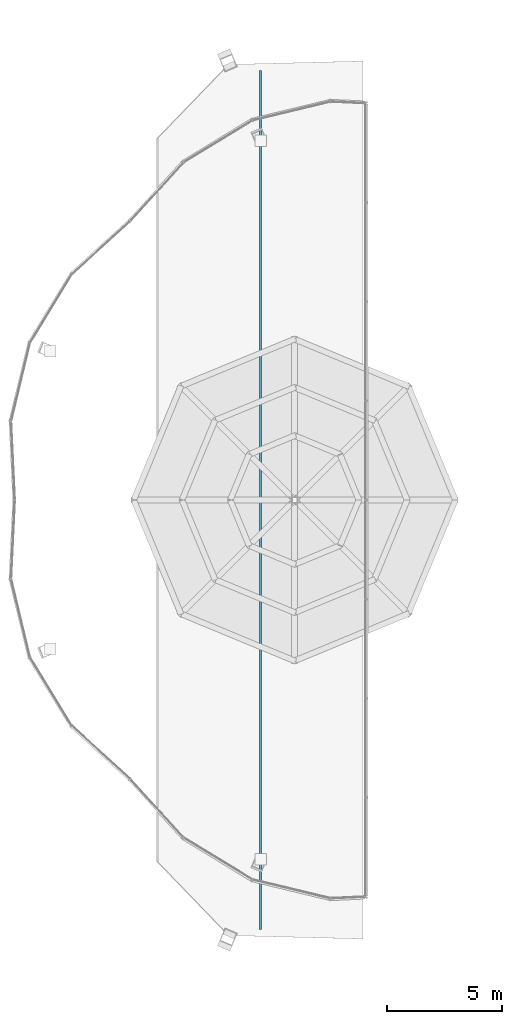
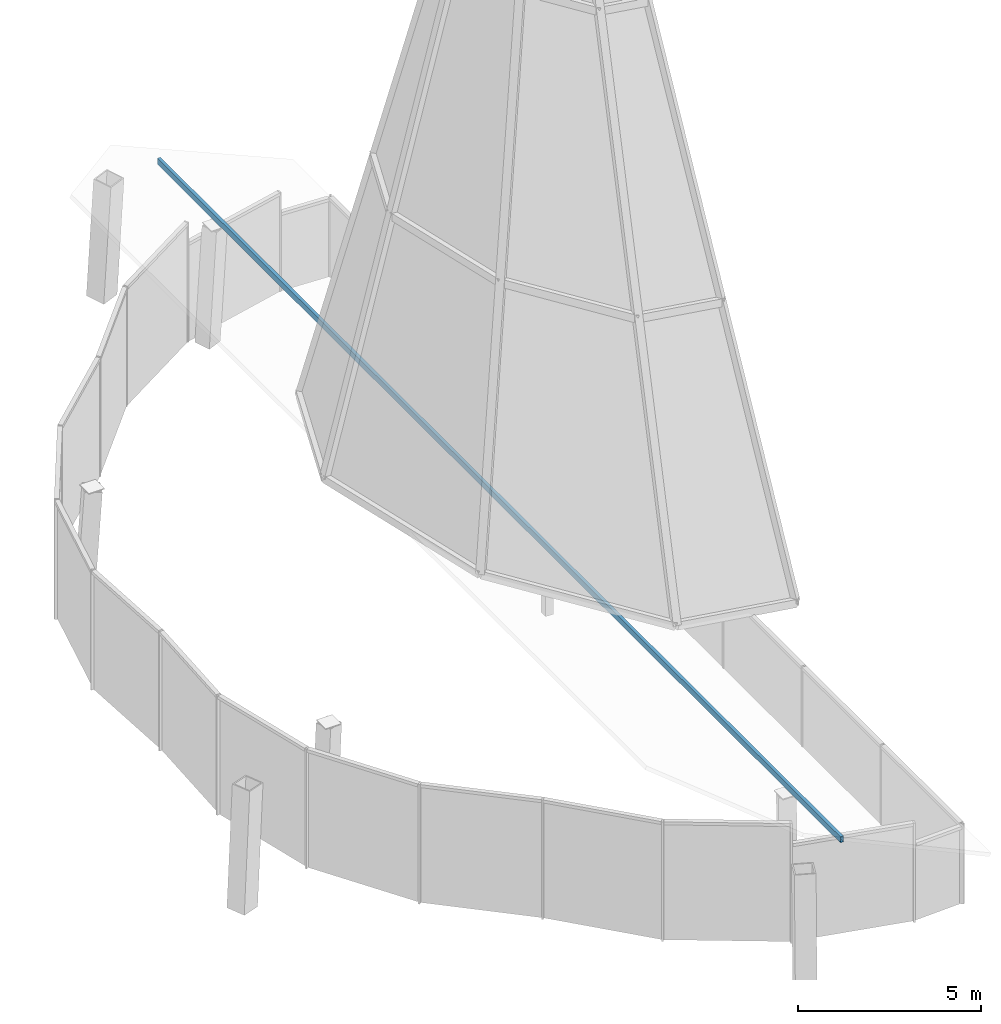
# One storey, part 9 of 16: 1 member.
"""IFC4 building model written with IfcOpenShell, lengths in metres."""

from ifc_helpers import new_model, si_unit, direction, frame, origin, origin_2d, place, context, subcontext, project, spatial, hollow_rectangle, extrude, material, material_profile, profile_set, type_object, element, save


model = new_model("IFC4")

# Units and contexts
model_context = context("Model", 3, precision=1e-05, world=origin(), true_north=direction((0.0, 1.0)))
body_context = subcontext(model_context, "Body", "Model", "MODEL_VIEW")
ifc_project = project(units=[si_unit("LENGTHUNIT", "METRE"), si_unit("AREAUNIT", "SQUARE_METRE"), si_unit("VOLUMEUNIT", "CUBIC_METRE"), si_unit("PLANEANGLEUNIT", "RADIAN"), si_unit("MASSUNIT", "GRAM", prefix="KILO")], contexts=[model_context])

# Site, building, storey
site_placement = place(None, origin())
site = spatial("IfcSite", under=ifc_project, at=site_placement, CompositionType="ELEMENT")
building_placement = place(site_placement, origin())
building = spatial("IfcBuilding", under=site, at=building_placement, Name="Ogive Gate Towers", CompositionType="ELEMENT")
storey_placement = place(building_placement, frame((0.0, 0.0, 310.0)))
storey = spatial("IfcBuildingStorey", under=building, at=storey_placement, Name="L73", CompositionType="ELEMENT", Elevation=310.0)

# Member
ifc_material = material(Name="Steel SM460", Category="steel")
ifc_material_profile = material_profile(ifc_material, hollow_rectangle(XDim=0.10009765625, YDim=0.199951171875, WallThickness=0.008056640625, at=origin_2d()), Name="RHS 200x100x8")
ifc_profile_set = profile_set([ifc_material_profile], Name="Steel SM460")
member_type = type_object("IfcMemberType", Name="Crown roof purlin RHS 200 x 100", PredefinedType="PURLIN", material=ifc_profile_set)
member_placement = place(storey_placement, frame((29.517578125, 18.6923828125, 4.300048828125), z_axis=(0.0, -1.0, 0.0), x_axis=(1.0, 0.0, 0.0)))
element("IfcMember", 1, at=member_placement, inside=storey, type_object=member_type, Name="Crown roof purlin", PredefinedType="PURLIN", context=body_context, shape_type="SweptSolid", body=[
    extrude(hollow_rectangle(XDim=0.10009765625, YDim=0.199951171875, WallThickness=0.008056640625, at=origin_2d()), origin(), (0.0, 0.0, 1.0), 37.384765625),
])

save(model, "model.ifc")
